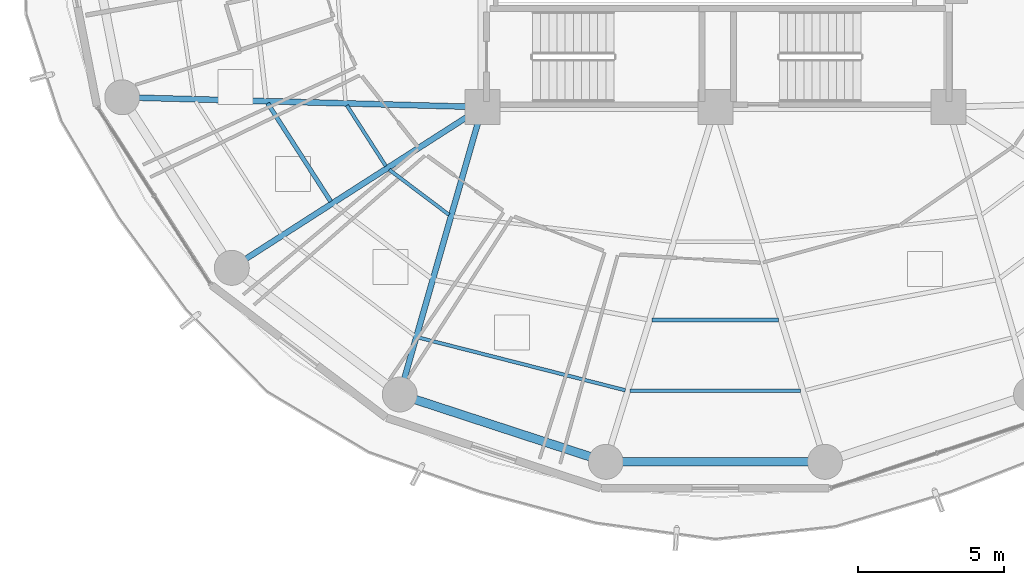
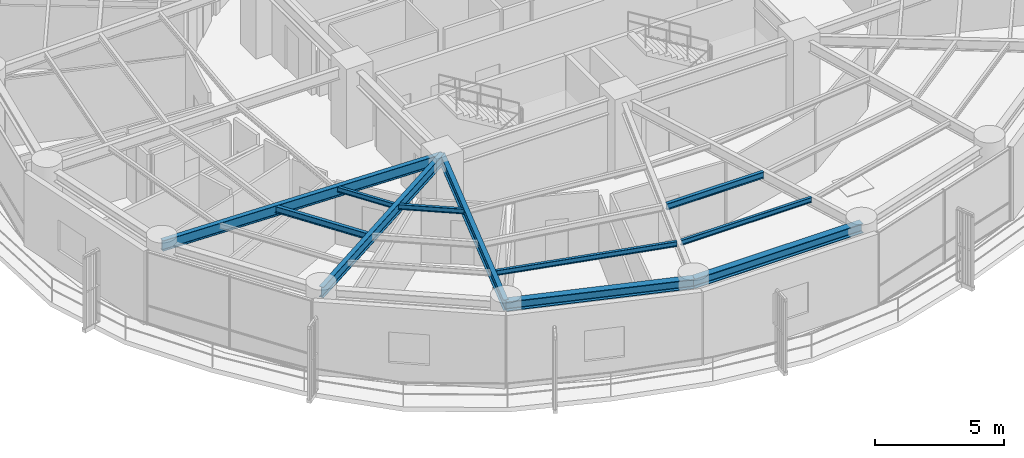
# One storey, part 3 of 28: 11 beams.
"""IFC4 building model written with IfcOpenShell, lengths in metres."""

from ifc_helpers import new_model, si_unit, direction, frame, origin, origin_2d, place, context, subcontext, project, spatial, i_section, extrude, material, material_profile, profile_set, type_object, element, save


model = new_model("IFC4")

# Units and contexts
model_context = context("Model", 3, precision=1e-05, world=origin(), true_north=direction((0.0, 1.0)))
body_context = subcontext(model_context, "Body", "Model", "MODEL_VIEW")
ifc_project = project(units=[si_unit("LENGTHUNIT", "METRE"), si_unit("AREAUNIT", "SQUARE_METRE"), si_unit("VOLUMEUNIT", "CUBIC_METRE"), si_unit("PLANEANGLEUNIT", "RADIAN"), si_unit("MASSUNIT", "GRAM", prefix="KILO")], contexts=[model_context])

# Site, building, storey
site_placement = place(None, origin())
site = spatial("IfcSite", under=ifc_project, at=site_placement, CompositionType="ELEMENT")
building_placement = place(site_placement, origin())
building = spatial("IfcBuilding", under=site, at=building_placement, Name="Kelanora Arch Commons", CompositionType="ELEMENT")
storey_placement = place(building_placement, frame((0.0, 0.0, 180.60009765625)))
storey = spatial("IfcBuildingStorey", under=building, at=storey_placement, Name="L46", CompositionType="ELEMENT", Elevation=180.60009765625)

# Beams
ifc_material = material(Name="Steel S355", Category="steel")
ifc_material_profile_1 = material_profile(ifc_material, i_section(OverallWidth=0.14990234375, OverallDepth=0.300048828125, WebThickness=0.007080078125, FlangeThickness=0.0107421875, FilletRadius=0.014892578125, at=origin_2d()), Name="IPE300")
ifc_profile_set_1 = profile_set([ifc_material_profile_1], Name="Steel S355")
beam_type_1 = type_object("IfcBeamType", Name="BM-JST-01", PredefinedType="JOIST", material=ifc_profile_set_1)
beam_1_placement = place(storey_placement, frame((58.622314453125, 51.130859375, 3.33984375), z_axis=(0.540594434398, -0.841283339606, 0.0), x_axis=(0.841283339606, 0.540594434398, 0.0)))
element("IfcBeam", 1, at=beam_1_placement, inside=storey, type_object=beam_type_1, Name="Secondary Chord Joist BJB-20 L46", PredefinedType="JOIST", context=body_context, shape_type="SweptSolid", body=[
    extrude(i_section(OverallWidth=0.14990234375, OverallDepth=0.300048828125, WebThickness=0.007080078125, FlangeThickness=0.0107421875, FilletRadius=0.014892578125, at=origin_2d()), origin(), (0.0, 0.0, 1.0), 4.008544921875),
])
beam_2_placement = place(storey_placement, frame((71.826171875, 43.689453125, 3.33984375), z_axis=(1.0, 0.0, 0.0), x_axis=(0.0, 1.0, 0.0)))
element("IfcBeam", 2, at=beam_2_placement, inside=storey, type_object=beam_type_1, Name="Secondary Chord Joist BJB-26 L46", PredefinedType="JOIST", context=body_context, shape_type="SweptSolid", body=[
    extrude(i_section(OverallWidth=0.14990234375, OverallDepth=0.300048828125, WebThickness=0.007080078125, FlangeThickness=0.0107421875, FilletRadius=0.014892578125, at=origin_2d()), origin(), (0.0, 0.0, 1.0), 4.34765625),
])
ifc_material_profile_2 = material_profile(ifc_material, i_section(OverallWidth=0.1201171875, OverallDepth=0.239990234375, WebThickness=0.006103515625, FlangeThickness=0.009765625, FilletRadius=0.014892578125, at=origin_2d()), Name="IPE240")
ifc_profile_set_2 = profile_set([ifc_material_profile_2], Name="Steel S355")
beam_type_2 = type_object("IfcBeamType", Name="BM-JST-02", PredefinedType="JOIST", material=ifc_profile_set_2)
beam_3_placement = place(storey_placement, frame((61.344482421875, 51.056640625, 3.369873046875), z_axis=(0.540583174025, -0.841290575224, 0.0), x_axis=(0.841290575224, 0.540583174025, 0.0)))
element("IfcBeam", 3, at=beam_3_placement, inside=storey, type_object=beam_type_2, Name="Secondary Chord Joist BJA-20 L46", PredefinedType="JOIST", context=body_context, shape_type="SweptSolid", body=[
    extrude(i_section(OverallWidth=0.1201171875, OverallDepth=0.239990234375, WebThickness=0.006103515625, FlangeThickness=0.009765625, FilletRadius=0.014892578125, at=origin_2d()), origin(), (0.0, 0.0, 1.0), 2.476318359375),
])
beam_4_placement = place(storey_placement, frame((62.796875, 48.8505859375, 3.369873046875), z_axis=(0.798484118859, -0.602015873487, 0.0), x_axis=(0.602015873487, 0.798484118859, 0.0)))
element("IfcBeam", 4, at=beam_4_placement, inside=storey, type_object=beam_type_2, Name="Secondary Chord Joist BJA-22 L46", PredefinedType="JOIST", context=body_context, shape_type="SweptSolid", body=[
    extrude(i_section(OverallWidth=0.1201171875, OverallDepth=0.239990234375, WebThickness=0.006103515625, FlangeThickness=0.009765625, FilletRadius=0.014892578125, at=origin_2d()), origin(), (0.0, 0.0, 1.0), 2.57470703125),
])
beam_5_placement = place(storey_placement, frame((63.810302734375, 43.082763671875, 3.369873046875), z_axis=(0.96900232943, -0.247051584815, 0.0), x_axis=(0.247051584815, 0.96900232943, 0.0)))
element("IfcBeam", 5, at=beam_5_placement, inside=storey, type_object=beam_type_2, Name="Secondary Chord Joist BJC-24 L46", PredefinedType="JOIST", context=body_context, shape_type="SweptSolid", body=[
    extrude(i_section(OverallWidth=0.1201171875, OverallDepth=0.239990234375, WebThickness=0.006103515625, FlangeThickness=0.009765625, FilletRadius=0.014892578125, at=origin_2d()), origin(), (0.0, 0.0, 1.0), 7.32275390625),
])
beam_6_placement = place(storey_placement, frame((71.0732421875, 41.252685546875, 3.369873046875), z_axis=(1.0, 0.0, 0.0), x_axis=(0.0, 1.0, 0.0)))
element("IfcBeam", 6, at=beam_6_placement, inside=storey, type_object=beam_type_2, Name="Secondary Chord Joist BJC-26 L46", PredefinedType="JOIST", context=body_context, shape_type="SweptSolid", body=[
    extrude(i_section(OverallWidth=0.1201171875, OverallDepth=0.239990234375, WebThickness=0.006103515625, FlangeThickness=0.009765625, FilletRadius=0.014892578125, at=origin_2d()), origin(), (0.0, 0.0, 1.0), 5.853515625),
])
ifc_material_profile_3 = material_profile(ifc_material, i_section(OverallWidth=0.199951171875, OverallDepth=0.5, WebThickness=0.01025390625, FlangeThickness=0.01611328125, FilletRadius=0.02099609375, at=origin_2d()), Name="IPE500")
ifc_profile_set_3 = profile_set([ifc_material_profile_3], Name="Steel S355")
beam_type_3 = type_object("IfcBeamType", Name="BM-RAD-Z3", PredefinedType="BEAM", material=ifc_profile_set_3)
beam_7_placement = place(storey_placement, frame((66.0, 51.0, 3.239990234375), z_axis=(-0.999628374924, 0.027260081577, 0.0), x_axis=(-0.027260081577, -0.999628374924, 0.0)))
element("IfcBeam", 7, at=beam_7_placement, inside=storey, type_object=beam_type_3, Name="Radial Floor Girder BR-20 L46", PredefinedType="BEAM", context=body_context, shape_type="SweptSolid", body=[
    extrude(i_section(OverallWidth=0.199951171875, OverallDepth=0.5, WebThickness=0.01025390625, FlangeThickness=0.01611328125, FilletRadius=0.02099609375, at=origin_2d()), origin(), (0.0, 0.0, 1.0), 12.377197265625),
])
beam_8_placement = place(storey_placement, frame((66.0, 51.0, 3.239990234375), z_axis=(-0.841719465748, -0.539915123868, 0.0), x_axis=(0.539915123868, -0.841719465748, 0.0)))
element("IfcBeam", 8, at=beam_8_placement, inside=storey, type_object=beam_type_3, Name="Radial Floor Girder BR-22 L46", PredefinedType="BEAM", context=body_context, shape_type="SweptSolid", body=[
    extrude(i_section(OverallWidth=0.199951171875, OverallDepth=0.5, WebThickness=0.01025390625, FlangeThickness=0.01611328125, FilletRadius=0.02099609375, at=origin_2d()), origin(), (0.0, 0.0, 1.0), 10.2265625),
])
beam_9_placement = place(storey_placement, frame((66.0, 51.0, 3.239990234375), z_axis=(-0.276525880065, -0.961006471182, 0.0), x_axis=(0.961006471182, -0.276525880065, 0.0)))
element("IfcBeam", 9, at=beam_9_placement, inside=storey, type_object=beam_type_3, Name="Radial Floor Girder BR-24 L46", PredefinedType="BEAM", context=body_context, shape_type="SweptSolid", body=[
    extrude(i_section(OverallWidth=0.199951171875, OverallDepth=0.5, WebThickness=0.01025390625, FlangeThickness=0.01611328125, FilletRadius=0.02099609375, at=origin_2d()), origin(), (0.0, 0.0, 1.0), 10.2705078125),
])
ifc_material_profile_4 = material_profile(ifc_material, i_section(OverallWidth=0.300048828125, OverallDepth=0.449951171875, WebThickness=0.013916015625, FlangeThickness=0.02587890625, FilletRadius=0.027099609375, at=origin_2d()), Name="HEB450")
ifc_profile_set_4 = profile_set([ifc_material_profile_4], Name="Steel S355")
beam_type_4 = type_object("IfcBeamType", Name="BM-SPN-Z3", PredefinedType="SPANDREL", material=ifc_profile_set_4)
beam_10_placement = place(storey_placement, frame((63.159912109375, 41.1298828125, 3.264892578125), z_axis=(0.950461975786, -0.310840847676, 0.0), x_axis=(0.310840847676, 0.950461975786, 0.0)))
element("IfcBeam", 10, at=beam_10_placement, inside=storey, type_object=beam_type_4, Name="Perimeter Spandrel Beam BS-24 L46", PredefinedType="SPANDREL", context=body_context, shape_type="SweptSolid", body=[
    extrude(i_section(OverallWidth=0.300048828125, OverallDepth=0.449951171875, WebThickness=0.013916015625, FlangeThickness=0.02587890625, FilletRadius=0.027099609375, at=origin_2d()), origin(), (0.0, 0.0, 1.0), 7.444091796875),
])
beam_11_placement = place(storey_placement, frame((70.2353515625, 38.81591796875, 3.264892578125), z_axis=(1.0, 0.0, 0.0), x_axis=(0.0, 1.0, 0.0)))
element("IfcBeam", 11, at=beam_11_placement, inside=storey, type_object=beam_type_4, Name="Perimeter Spandrel Beam BS-26 L46", PredefinedType="SPANDREL", context=body_context, shape_type="SweptSolid", body=[
    extrude(i_section(OverallWidth=0.300048828125, OverallDepth=0.449951171875, WebThickness=0.013916015625, FlangeThickness=0.02587890625, FilletRadius=0.027099609375, at=origin_2d()), origin(), (0.0, 0.0, 1.0), 7.529296875),
])

save(model, "model.ifc")
